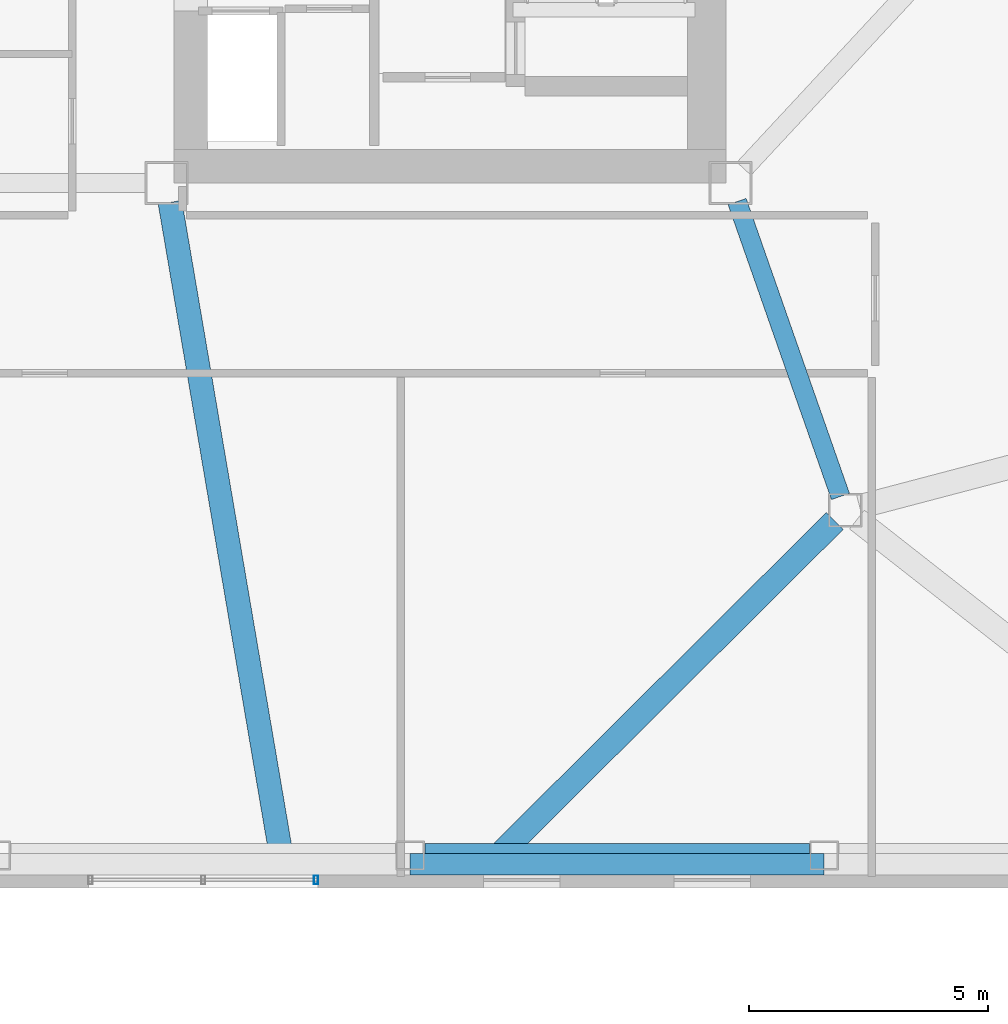
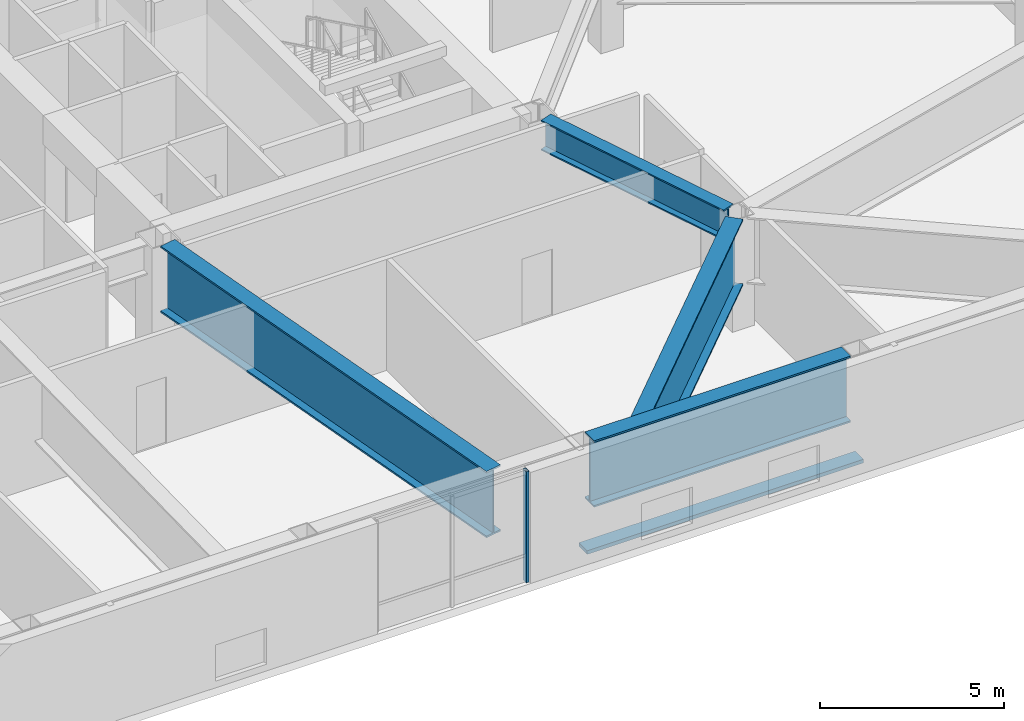
# One storey, part 6 of 19: 4 beams, 2 members, 1 element without a shape of its own.
"""IFC4 building model written with IfcOpenShell, lengths in metres."""

from ifc_helpers import new_model, si_unit, direction, frame, origin, origin_2d, place, context, subcontext, project, spatial, rectangle, hollow_rectangle, i_section, extrude, material, layer, layer_set, material_profile, profile_set, type_object, element, aggregate, save


model = new_model("IFC4")

# Units and contexts
model_context = context("Model", 3, precision=1e-05, world=origin(), true_north=direction((0.0, 1.0)))
body_context = subcontext(model_context, "Body", "Model", "MODEL_VIEW")
ifc_project = project(units=[si_unit("LENGTHUNIT", "METRE"), si_unit("AREAUNIT", "SQUARE_METRE"), si_unit("VOLUMEUNIT", "CUBIC_METRE"), si_unit("PLANEANGLEUNIT", "RADIAN"), si_unit("MASSUNIT", "GRAM", prefix="KILO")], contexts=[model_context])

# Site, building, storey
site_placement = place(None, origin())
site = spatial("IfcSite", under=ifc_project, at=site_placement, CompositionType="ELEMENT")
building_placement = place(site_placement, origin())
building = spatial("IfcBuilding", under=site, at=building_placement, Name="Tavrogorsk Clinical Tower", CompositionType="ELEMENT")
storey_placement = place(building_placement, frame((0.0, 0.0, 204.199951171875)))
storey = spatial("IfcBuildingStorey", under=building, at=storey_placement, Name="L47", CompositionType="ELEMENT", Elevation=204.199951171875)

# Member
ifc_material_1 = material(Name="Anodised aluminium alloy AW-6063", Category="aluminium")
ifc_material_profile_1 = material_profile(ifc_material_1, rectangle(XDim=0.449951171875, YDim=0.1201171875, at=origin_2d()), Name="ALU-SUNSHADE-450x120")
ifc_profile_set_1 = profile_set([ifc_material_profile_1], Name="Anodised aluminium alloy AW-6063")
member_type_1 = type_object("IfcMemberType", Name="ChicagoSunshade_450x120", PredefinedType="USERDEFINED", material=ifc_profile_set_1)
member_1_placement = place(storey_placement, frame((15.394287109375, -20.60009765625, 0.179931640625), z_axis=(1.0, 0.0, 0.0), x_axis=(0.0, 1.0, 0.0)))
element("IfcMember", 1, at=member_1_placement, inside=storey, type_object=member_type_1, Name="L47 South Aluminium Sunshade S6", ObjectType="SUNSHADE", PredefinedType="USERDEFINED", context=body_context, shape_type="SweptSolid", body=[
    extrude(rectangle(XDim=0.449951171875, YDim=0.1201171875, at=origin_2d()), origin(), (0.0, 0.0, 1.0), 8.662841796875),
])

# Curtain wall, member
ifc_material_2 = material(Name="Anodised aluminium and triple IGU glazing", Category="aluminium")
ifc_layer = layer(ifc_material_2, 0.179931640625)
ifc_layer_set = layer_set([ifc_layer], Name="Anodised aluminium and triple IGU glazing")
curtain_wall_type = type_object("IfcCurtainWallType", Name="CW3_SouthSlot", PredefinedType="NOTDEFINED", material=ifc_layer_set)
curtain_wall_placement = place(storey_placement, origin())
curtain_wall = element("IfcCurtainWall", 2, at=curtain_wall_placement, inside=storey, type_object=curtain_wall_type, Name="L47 Curtain Wall CW-L47-S-SLOT-2", PredefinedType="NOTDEFINED")
ifc_material_3 = material(Name="Anodised aluminium alloy AW-6060", Category="aluminium")
ifc_material_profile_2 = material_profile(ifc_material_3, hollow_rectangle(XDim=0.090087890625, YDim=0.179931640625, WallThickness=0.00634765625, at=origin_2d()), Name="RHS-180x90x6.3")
ifc_profile_set_2 = profile_set([ifc_material_profile_2], Name="Anodised aluminium alloy AW-6060")
member_type_2 = type_object("IfcMemberType", Name="CwMullion_180x90", PredefinedType="MULLION", material=ifc_profile_set_2)
member_2_placement = place(storey_placement, frame((13.421875, -20.929931640625, 0.0), z_axis=(0.0, 0.0, 1.0), x_axis=(1.0, 0.0, 0.0)))
member_2 = element("IfcMember", 3, at=member_2_placement, type_object=member_type_2, Name="CW-L47-S-SLOT-2 Mullion 3", PredefinedType="MULLION", context=body_context, shape_type="SweptSolid", body=[
    extrude(hollow_rectangle(XDim=0.090087890625, YDim=0.179931640625, WallThickness=0.00634765625, at=origin_2d()), origin(), (0.0, 0.0, 1.0), 3.679931640625),
])
aggregate(curtain_wall, [member_2])

# Beams
ifc_material_4 = material(Name="Structural steel S440", Category="steel")
ifc_material_profile_3 = material_profile(ifc_material_4, i_section(OverallWidth=0.39990234375, OverallDepth=1.0, WebThickness=0.028076171875, FlangeThickness=0.044921875, at=origin_2d()), Name="DK-1000x400x28x45")
ifc_profile_set_3 = profile_set([ifc_material_profile_3], Name="Structural steel S440")
beam_type_1 = type_object("IfcBeamType", Name="TransferGirder_DK1000", PredefinedType="USERDEFINED", material=ifc_profile_set_3)
beam_1_placement = place(storey_placement, frame((24.3974609375, -12.907470703125, 3.179931640625), z_axis=(-0.33065312634, 0.94375235631, 0.0), x_axis=(-0.94375235631, -0.33065312634, 0.0)))
element("IfcBeam", 4, at=beam_1_placement, inside=storey, type_object=beam_type_1, Name="L47 Spine Link Girder OPG-2", ObjectType="GIRDER", PredefinedType="USERDEFINED", context=body_context, shape_type="SweptSolid", body=[
    extrude(i_section(OverallWidth=0.39990234375, OverallDepth=1.0, WebThickness=0.028076171875, FlangeThickness=0.044921875, at=origin_2d()), origin(), (0.0, 0.0, 1.0), 6.5380859375),
])
ifc_material_5 = material(Name="Structural steel S440", Category="steel")
ifc_material_profile_4 = material_profile(ifc_material_5, i_section(OverallWidth=0.5, OverallDepth=2.199951171875, WebThickness=0.035888671875, FlangeThickness=0.054931640625, at=origin_2d()), Name="DK-2200x500x36x55")
ifc_profile_set_4 = profile_set([ifc_material_profile_4], Name="Structural steel S440")
beam_type_2 = type_object("IfcBeamType", Name="TransferGirder_DK2200", PredefinedType="USERDEFINED", material=ifc_profile_set_4)
beam_2_placement = place(storey_placement, frame((15.702392578125, -20.419921875, 2.580078125), z_axis=(1.0, 0.0, 0.0), x_axis=(0.0, 1.0, 0.0)))
element("IfcBeam", 5, at=beam_2_placement, inside=storey, type_object=beam_type_2, Name="L47 Perimeter Spandrel S6-S7", ObjectType="GIRDER", PredefinedType="USERDEFINED", context=body_context, shape_type="SweptSolid", body=[
    extrude(i_section(OverallWidth=0.5, OverallDepth=2.199951171875, WebThickness=0.035888671875, FlangeThickness=0.054931640625, at=origin_2d()), origin(), (0.0, 0.0, 1.0), 8.046630859375),
])
beam_3_placement = place(storey_placement, frame((10.368896484375, -6.754150390625, 2.580078125), z_axis=(0.167873637007, -0.985808521975, 0.0), x_axis=(0.985808521975, 0.167873637007, 0.0)))
element("IfcBeam", 6, at=beam_3_placement, inside=storey, type_object=beam_type_2, Name="L48 Block Transfer Girder S6", ObjectType="GIRDER", PredefinedType="USERDEFINED", context=body_context, shape_type="SweptSolid", body=[
    extrude(i_section(OverallWidth=0.5, OverallDepth=2.199951171875, WebThickness=0.035888671875, FlangeThickness=0.054931640625, at=origin_2d()), origin(), (0.0, 0.0, 1.0), 13.862548828125),
])
beam_4_placement = place(storey_placement, frame((24.2802734375, -13.418701171875, 2.580078125), z_axis=(-0.708826510693, -0.705382858977, 0.0), x_axis=(0.705382858977, -0.708826510693, 0.0)))
element("IfcBeam", 7, at=beam_4_placement, inside=storey, type_object=beam_type_2, Name="L48 Block Transfer Girder S7", ObjectType="GIRDER", PredefinedType="USERDEFINED", context=body_context, shape_type="SweptSolid", body=[
    extrude(i_section(OverallWidth=0.5, OverallDepth=2.199951171875, WebThickness=0.035888671875, FlangeThickness=0.054931640625, at=origin_2d()), origin(), (0.0, 0.0, 1.0), 9.925537109375),
])

save(model, "model.ifc")
